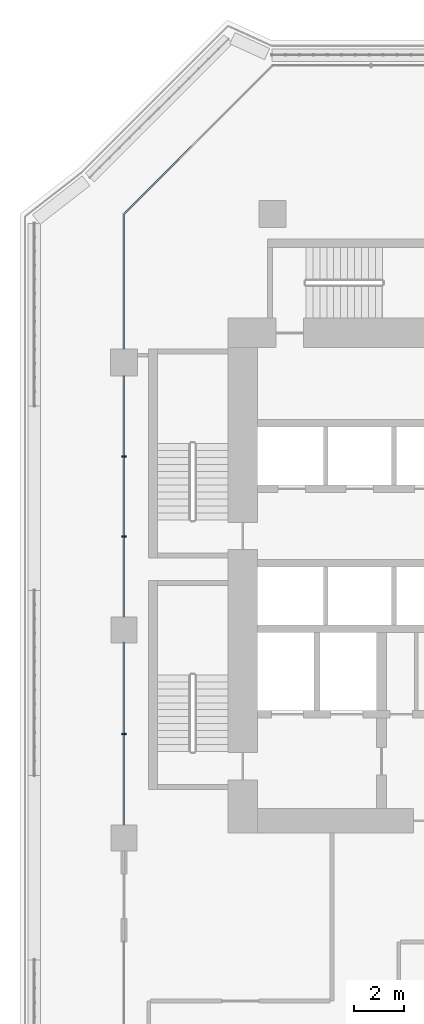
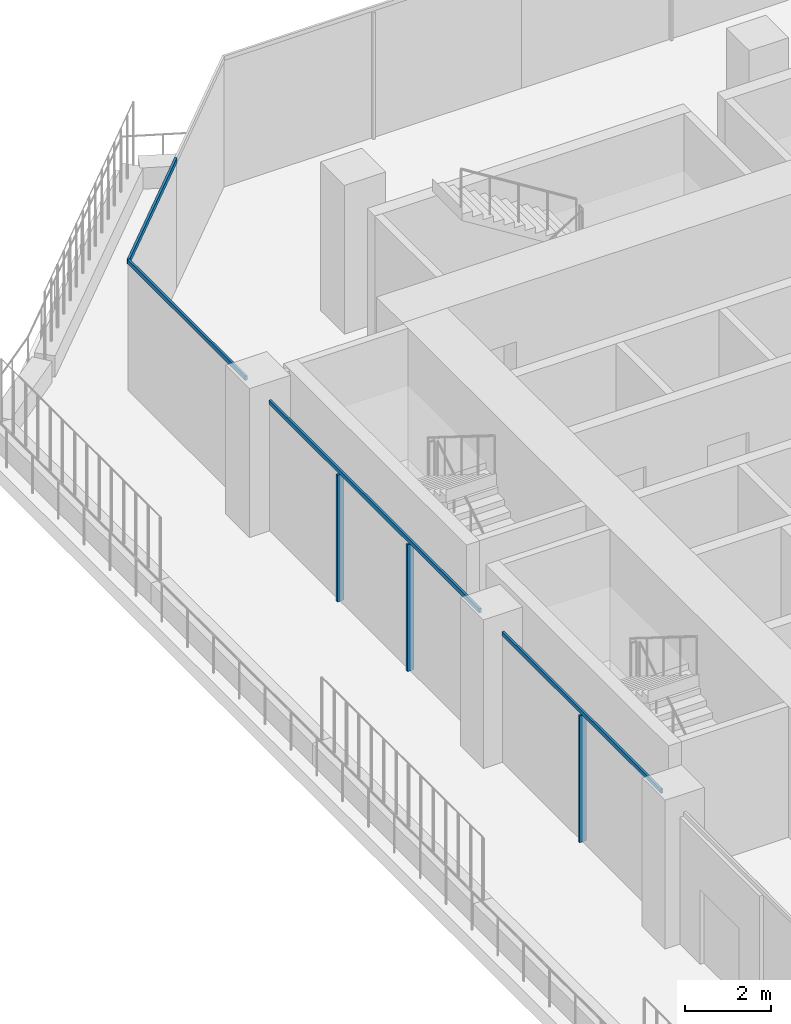
# One storey, part 4 of 23: 7 members, 2 elements without a shape of their own.
"""IFC4 building model written with IfcOpenShell, lengths in metres."""

import ifcopenshell
import ifcopenshell.guid

model = None  # the IFC model being written
_history = None  # IfcOwnerHistory: only IFC2X3 demands one
_inside = {}  # id of a spatial element -> (the spatial element, [elements in it])
_under = {}  # id of a project, library or spatial element -> (it, [spatial elements below it])
_declared = {}  # id of a project -> (the project, [libraries it declares])
_typed = {}  # id of a type object -> (the type object, [elements of that type])
_made_of = {}  # id of a material, layer set ... -> (it, [elements and type objects made of it])


def new_model(schema):
    """Start an empty IFC model of exactly this schema.

    Asked for "IFC4X3", IfcOpenShell would pick the latest addendum, in which some entities
    have other attributes; the version numbers below select the first issue.
    IFC2X3 requires an IfcOwnerHistory on every rooted entity: one is made here for all.
    """
    global model, _history
    if schema == "IFC4X3":
        model = ifcopenshell.file(schema_version=(4, 3, 0, 0))
    else:
        model = ifcopenshell.file(schema=schema)
    _inside.clear()
    _under.clear()
    _declared.clear()
    _typed.clear()
    _made_of.clear()
    _history = None
    if model.schema == "IFC2X3":
        org = make("IfcOrganization", Name="unknown")
        user = make(
            "IfcPersonAndOrganization",
            ThePerson=make("IfcPerson", FamilyName="unknown"),
            TheOrganization=org,
        )
        app = make(
            "IfcApplication",
            ApplicationDeveloper=org,
            Version="unknown",
            ApplicationFullName="unknown",
            ApplicationIdentifier="unknown",
        )
        _history = make(
            "IfcOwnerHistory",
            OwningUser=user,
            OwningApplication=app,
            ChangeAction="ADDED",
            CreationDate=0,
        )
    return model


def make(cls, **values):
    """One entity of the class cls with the attributes given. An attribute that is None is left unset."""
    return model.create_entity(
        cls, **{name: value for name, value in values.items() if value is not None}
    )


def rooted(cls, **values):
    """An entity with a GlobalId (a new one), such as an element, a storey or a relation."""
    return make(cls, GlobalId=ifcopenshell.guid.new(), OwnerHistory=_history, **values)


def si_unit(unit_type, name, prefix=None):
    """IfcSIUnit, for example si_unit("LENGTHUNIT", "METRE", prefix="MILLI")."""
    return make("IfcSIUnit", UnitType=unit_type, Prefix=prefix, Name=name)


def assignment(units):
    """IfcUnitAssignment: the units of a project."""
    return None if units is None else make("IfcUnitAssignment", Units=units)


def point(xyz):
    """IfcCartesianPoint."""
    return None if xyz is None else make("IfcCartesianPoint", Coordinates=xyz)


def direction(xyz):
    """IfcDirection."""
    return None if xyz is None else make("IfcDirection", DirectionRatios=xyz)


def frame(location, z_axis=None, x_axis=None):
    """IfcAxis2Placement3D, a coordinate frame: its origin and axes. An axis left out is left unset."""
    return make(
        "IfcAxis2Placement3D",
        Location=point(location),
        Axis=direction(z_axis),
        RefDirection=direction(x_axis),
    )


def frame_2d(location, x_axis=None):
    """IfcAxis2Placement2D, a coordinate frame in the plane: its origin and x axis."""
    return make(
        "IfcAxis2Placement2D", Location=point(location), RefDirection=direction(x_axis)
    )


def origin():
    """The frame at (0, 0, 0) with its axes left unset."""
    return frame((0.0, 0.0, 0.0))


def origin_2d():
    """The frame at (0, 0) in the plane with its x axis left unset."""
    return frame_2d((0.0, 0.0))


def place(relative_to, where):
    """IfcLocalPlacement: puts the frame where relative to a parent placement (None: the world)."""
    return make(
        "IfcLocalPlacement", PlacementRelTo=relative_to, RelativePlacement=where
    )


def context(
    kind, dimensions, precision=None, world=None, true_north=None, identifier=None
):
    """IfcGeometricRepresentationContext, for example the 3D "Model" context."""
    return make(
        "IfcGeometricRepresentationContext",
        ContextIdentifier=identifier,
        ContextType=kind,
        CoordinateSpaceDimension=dimensions,
        Precision=precision,
        WorldCoordinateSystem=world,
        TrueNorth=true_north,
    )


def subcontext(parent, identifier, kind, view, scale=None):
    """IfcGeometricRepresentationSubContext, for example "Body" below "Model"."""
    return make(
        "IfcGeometricRepresentationSubContext",
        ContextIdentifier=identifier,
        ContextType=kind,
        ParentContext=parent,
        TargetScale=scale,
        TargetView=view,
    )


def project(units=None, contexts=None):
    """IfcProject with its units and contexts."""
    return rooted(
        "IfcProject",
        Name="project",
        RepresentationContexts=contexts,
        UnitsInContext=assignment(units),
    )


def spatial(cls, under=None, at=None, **own):
    """A site, building, storey or space (cls), placed at a placement, below another one or the project."""
    s = rooted(cls, ObjectPlacement=at, **own)
    if under is not None:
        _under.setdefault(under.id(), (under, []))[1].append(s)
    return s


def profile(cls, at=None, kind="AREA", **sizes):
    """A parametric profile (cls). Its sizes go by their IFC names, for example OverallWidth=200.0."""
    return make(cls, ProfileType=kind, Position=at, **sizes)


def rectangle(**sizes):
    """IfcRectangleProfileDef."""
    return profile("IfcRectangleProfileDef", **sizes)


def extrude(swept, where, along, depth):
    """IfcExtrudedAreaSolid: the profile swept, set in the frame where, extruded along a direction by depth."""
    return make(
        "IfcExtrudedAreaSolid",
        SweptArea=swept,
        Position=where,
        ExtrudedDirection=direction(along),
        Depth=depth,
    )


def shape(context_of_items, identifier, shape_type, items):
    """IfcShapeRepresentation: the items that make up one representation, for example the "Body"."""
    return make(
        "IfcShapeRepresentation",
        ContextOfItems=context_of_items,
        RepresentationIdentifier=identifier,
        RepresentationType=shape_type,
        Items=items,
    )


def material(Name=None, Category=None):
    """IfcMaterial."""
    return make("IfcMaterial", Name=Name, Category=Category)


def layer(
    of_material, thickness, ventilated=None, Name=None, Category=None, Priority=None
):
    """IfcMaterialLayer: one layer of a wall or slab, of a material (None: an air gap)."""
    return make(
        "IfcMaterialLayer",
        Material=of_material,
        LayerThickness=thickness,
        IsVentilated=ventilated,
        Name=Name,
        Category=Category,
        Priority=Priority,
    )


def layer_set(layers, Name=None):
    """IfcMaterialLayerSet."""
    return make("IfcMaterialLayerSet", MaterialLayers=layers, LayerSetName=Name)


def material_profile(
    of_material, cross_section, Name=None, Category=None, Priority=None
):
    """IfcMaterialProfile: a cross section and its material."""
    return make(
        "IfcMaterialProfile",
        Name=Name,
        Material=of_material,
        Profile=cross_section,
        Priority=Priority,
        Category=Category,
    )


def profile_set(profiles, Name=None, composite=None):
    """IfcMaterialProfileSet."""
    return make(
        "IfcMaterialProfileSet",
        Name=Name,
        MaterialProfiles=profiles,
        CompositeProfile=composite,
    )


def made_of(thing, what):
    """Note that an element or type object is made of a material, layer set ...; save() writes the relation."""
    if what is not None:
        _made_of.setdefault(what.id(), (what, []))[1].append(thing)
    return thing


def type_object(cls, material=None, **own):
    """A type object (cls), such as IfcWallType, which elements share."""
    return made_of(rooted(cls, **own), material)


def element(
    cls,
    number,
    at=None,
    inside=None,
    cuts=None,
    type_object=None,
    material=None,
    context=None,
    identifier="Body",
    shape_type=None,
    held_by="IfcProductDefinitionShape",
    body=None,
    shapes=None,
    **own,
):
    """One element of the class cls, such as IfcWall. Its Tag is "e" and its number.

    at: its placement. inside: the storey or other place that contains it. cuts: it is an
    opening in that element (IfcRelVoidsElement). A single representation is given by context,
    identifier, shape_type and body (its items); several are given by shapes. held_by: the class
    of the entity that holds the representations. save() writes the other relations.
    """
    e = rooted(cls, Tag="e%d" % number, ObjectPlacement=at, **own)
    if body is not None:
        shapes = [shape(context, identifier, shape_type, body)]
    if shapes is not None:
        e.Representation = make(held_by, Representations=shapes)
    if inside is not None:
        _inside.setdefault(inside.id(), (inside, []))[1].append(e)
    if cuts is not None:
        rooted(
            "IfcRelVoidsElement", RelatingBuildingElement=cuts, RelatedOpeningElement=e
        )
    if type_object is not None:
        _typed.setdefault(type_object.id(), (type_object, []))[1].append(e)
    return made_of(e, material)


def aggregate(whole, parts):
    """IfcRelAggregates: a whole, such as a stair, and the parts it consists of."""
    return rooted("IfcRelAggregates", RelatingObject=whole, RelatedObjects=parts)


def save(model, path):
    """Write the relations noted so far, then the file.

    IfcRelAggregates (storeys below a building ...), IfcRelContainedInSpatialStructure (elements
    in a storey), IfcRelDefinesByType, IfcRelAssociatesMaterial and IfcRelDeclares: one each for
    every whole, place, type object, material and project.
    """
    for whole, parts in _under.values():
        aggregate(whole, parts)
    for where, things in _inside.values():
        rooted(
            "IfcRelContainedInSpatialStructure",
            RelatedElements=things,
            RelatingStructure=where,
        )
    for kind, things in _typed.values():
        rooted("IfcRelDefinesByType", RelatedObjects=things, RelatingType=kind)
    for what, things in _made_of.values():
        rooted("IfcRelAssociatesMaterial", RelatedObjects=things, RelatingMaterial=what)
    for by, libraries in _declared.values():
        rooted("IfcRelDeclares", RelatingContext=by, RelatedDefinitions=libraries)
    model.write(path)


model = new_model("IFC4")

# Units and contexts
model_context = context("Model", 3, precision=1e-05, world=origin(), true_north=direction((0.0, 1.0)))
body_context = subcontext(model_context, "Body", "Model", "MODEL_VIEW")
ifc_project = project(units=[si_unit("LENGTHUNIT", "METRE"), si_unit("AREAUNIT", "SQUARE_METRE"), si_unit("VOLUMEUNIT", "CUBIC_METRE"), si_unit("PLANEANGLEUNIT", "RADIAN"), si_unit("MASSUNIT", "GRAM", prefix="KILO")], contexts=[model_context])

# Site, building, storey
site_placement = place(None, origin())
site = spatial("IfcSite", under=ifc_project, at=site_placement, CompositionType="ELEMENT")
building_placement = place(site_placement, origin())
building = spatial("IfcBuilding", under=site, at=building_placement, Name="Kawkab Arch Medical Tower", CompositionType="ELEMENT")
storey_placement = place(building_placement, frame((0.0, 0.0, 149.199951171875)))
storey = spatial("IfcBuildingStorey", under=building, at=storey_placement, Name="L34", CompositionType="ELEMENT", Elevation=149.199951171875)

# Curtain wall, members
ifc_material_1 = material(Name="Bronze anodised aluminium curtain wall frame", Category="aluminium")
ifc_layer_1 = layer(ifc_material_1, 0.159912109375)
ifc_layer_set_1 = layer_set([ifc_layer_1], Name="Bronze anodised aluminium curtain wall frame")
curtain_wall_type_1 = type_object("IfcCurtainWallType", Name="CW1 ward curtain wall", PredefinedType="NOTDEFINED", material=ifc_layer_set_1)
placement = place(storey_placement, origin())
curtain_wall_1 = element("IfcCurtainWall", 1, at=placement, inside=storey, type_object=curtain_wall_type_1, Name="CW1 Ward curtain wall R01", PredefinedType="NOTDEFINED")
ifc_material_2 = material(Name="Bronze anodised aluminium curtain wall frame", Category="aluminium")
ifc_material_profile_1 = material_profile(ifc_material_2, rectangle(XDim=0.179931640625, YDim=0.06005859375, at=origin_2d()), Name="AL 60x180")
ifc_profile_set_1 = profile_set([ifc_material_profile_1], Name="Bronze anodised aluminium curtain wall frame")
member_type_1 = type_object("IfcMemberType", Name="CW1 mullion 60 x 180", PredefinedType="MULLION", material=ifc_profile_set_1)
member_1_placement = place(storey_placement, frame((0.0, -9.791748046875, 0.0), z_axis=(0.0, 0.0, 1.0), x_axis=(1.0, 0.0, 0.0)))
member_1 = element("IfcMember", 2, at=member_1_placement, type_object=member_type_1, Name="CW1 mullion 2.1", PredefinedType="MULLION", context=body_context, shape_type="SweptSolid", body=[
    extrude(rectangle(XDim=0.179931640625, YDim=0.06005859375, at=origin_2d()), origin(), (0.0, 0.0, 1.0), 3.580078125),
])
member_2_placement = place(storey_placement, frame((0.0, -13.033447265625, 0.0), z_axis=(0.0, 0.0, 1.0), x_axis=(1.0, 0.0, 0.0)))
member_2 = element("IfcMember", 3, at=member_2_placement, type_object=member_type_1, Name="CW1 mullion 2.2", PredefinedType="MULLION", context=body_context, shape_type="SweptSolid", body=[
    extrude(rectangle(XDim=0.179931640625, YDim=0.06005859375, at=origin_2d()), origin(), (0.0, 0.0, 1.0), 3.580078125),
])
member_3_placement = place(storey_placement, frame((0.0, -21.0, 0.0), z_axis=(0.0, 0.0, 1.0), x_axis=(1.0, 0.0, 0.0)))
member_3 = element("IfcMember", 4, at=member_3_placement, type_object=member_type_1, Name="CW1 mullion 3.1", PredefinedType="MULLION", context=body_context, shape_type="SweptSolid", body=[
    extrude(rectangle(XDim=0.179931640625, YDim=0.06005859375, at=origin_2d()), origin(), (0.0, 0.0, 1.0), 3.580078125),
])
ifc_material_3 = material(Name="Bronze anodised aluminium curtain wall frame", Category="aluminium")
ifc_material_profile_2 = material_profile(ifc_material_3, rectangle(XDim=0.06005859375, YDim=0.1201171875, at=origin_2d()), Name="AL 60x120")
ifc_profile_set_2 = profile_set([ifc_material_profile_2], Name="Bronze anodised aluminium curtain wall frame")
member_type_2 = type_object("IfcMemberType", Name="CW1 transom 120 x 60", PredefinedType="USERDEFINED", material=ifc_profile_set_2)
member_4_placement = place(storey_placement, frame((0.0, 0.0, 3.64013671875), z_axis=(0.0, -1.0, 0.0), x_axis=(1.0, 0.0, 0.0)))
member_4 = element("IfcMember", 5, at=member_4_placement, type_object=member_type_2, Name="CW1 transom 1", ObjectType="TRANSOM", PredefinedType="USERDEFINED", context=body_context, shape_type="SweptSolid", body=[
    extrude(rectangle(XDim=0.06005859375, YDim=0.1201171875, at=origin_2d()), origin(), (0.0, 0.0, 1.0), 5.449951171875),
])
member_5_placement = place(storey_placement, frame((0.0, -6.550048828125, 3.64013671875), z_axis=(0.0, -1.0, 0.0), x_axis=(1.0, 0.0, 0.0)))
member_5 = element("IfcMember", 6, at=member_5_placement, type_object=member_type_2, Name="CW1 transom 2", ObjectType="TRANSOM", PredefinedType="USERDEFINED", context=body_context, shape_type="SweptSolid", body=[
    extrude(rectangle(XDim=0.06005859375, YDim=0.1201171875, at=origin_2d()), origin(), (0.0, 0.0, 1.0), 9.724853515625),
])
member_6_placement = place(storey_placement, frame((0.0, -17.324951171875, 3.64013671875), z_axis=(0.0, -1.0, 0.0), x_axis=(1.0, 0.0, 0.0)))
member_6 = element("IfcMember", 7, at=member_6_placement, type_object=member_type_2, Name="CW1 transom 3", ObjectType="TRANSOM", PredefinedType="USERDEFINED", context=body_context, shape_type="SweptSolid", body=[
    extrude(rectangle(XDim=0.06005859375, YDim=0.1201171875, at=origin_2d()), origin(), (0.0, 0.0, 1.0), 7.35009765625),
])
aggregate(curtain_wall_1, [member_4, member_5, member_1, member_2, member_6, member_3])

# Curtain wall, member
ifc_material_4 = material(Name="Bronze anodised aluminium curtain wall frame", Category="aluminium")
ifc_layer_2 = layer(ifc_material_4, 0.159912109375)
ifc_layer_set_2 = layer_set([ifc_layer_2], Name="Bronze anodised aluminium curtain wall frame")
curtain_wall_type_2 = type_object("IfcCurtainWallType", Name="CW2 chamfer curtain wall", PredefinedType="NOTDEFINED", material=ifc_layer_set_2)
curtain_wall_2 = element("IfcCurtainWall", 8, at=placement, inside=storey, type_object=curtain_wall_type_2, Name="CW2 Chamfer curtain wall R12", PredefinedType="NOTDEFINED")
ifc_material_5 = material(Name="Bronze anodised aluminium curtain wall frame", Category="aluminium")
ifc_material_profile_3 = material_profile(ifc_material_5, rectangle(XDim=0.06005859375, YDim=0.139892578125, at=origin_2d()), Name="AL 60x140")
ifc_profile_set_3 = profile_set([ifc_material_profile_3], Name="Bronze anodised aluminium curtain wall frame")
member_type_3 = type_object("IfcMemberType", Name="CW2 transom 140 x 60", PredefinedType="USERDEFINED", material=ifc_profile_set_3)
member_7_placement = place(storey_placement, frame((3.0, 3.0, 3.630126953125), z_axis=(-0.707106781187, -0.707106781187, 0.0), x_axis=(0.707106781187, -0.707106781187, 0.0)))
member_7 = element("IfcMember", 9, at=member_7_placement, type_object=member_type_3, Name="CW2 transom 2", ObjectType="TRANSOM", PredefinedType="USERDEFINED", context=body_context, shape_type="SweptSolid", body=[
    extrude(rectangle(XDim=0.06005859375, YDim=0.139892578125, at=origin_2d()), origin(), (0.0, 0.0, 1.0), 4.24267578125),
])
aggregate(curtain_wall_2, [member_7])

save(model, "model.ifc")
